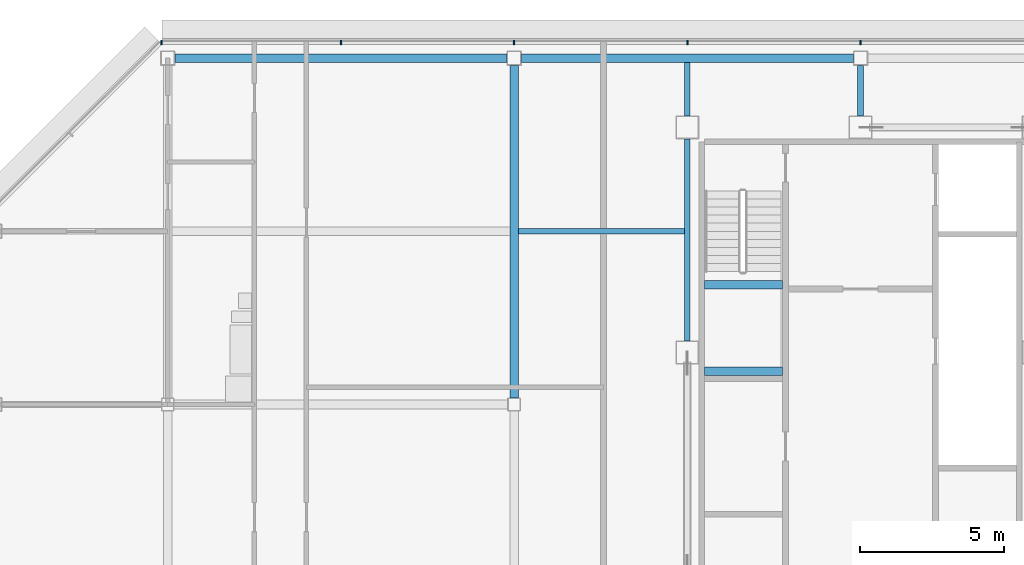
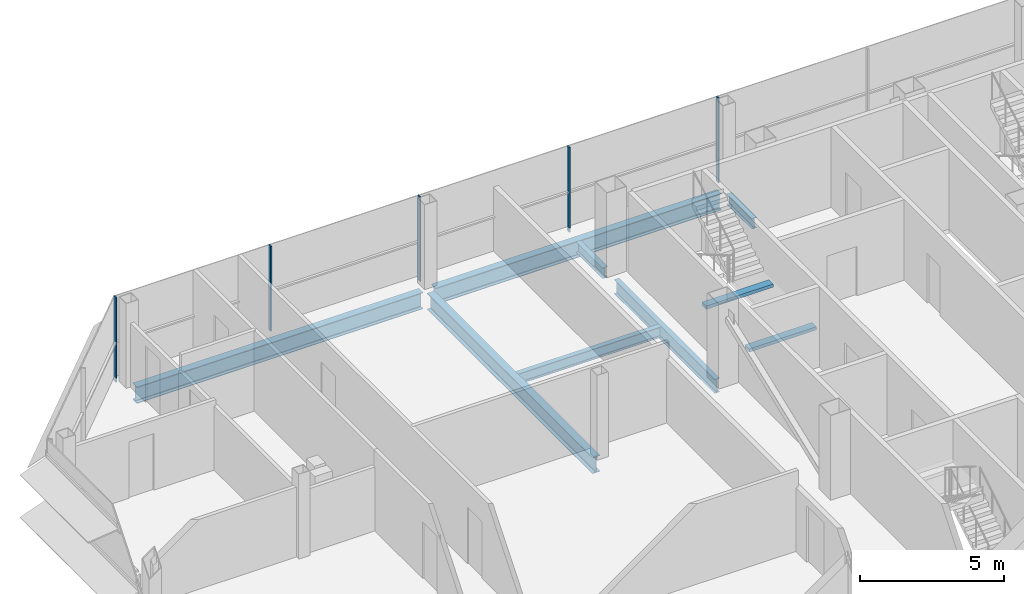
# One storey, part 14 of 28: 9 beams, 5 members, 1 element without a shape of its own.
"""IFC4 building model written with IfcOpenShell, lengths in metres."""

from ifc_helpers import new_model, si_unit, direction, frame, origin, origin_2d, place, context, subcontext, project, spatial, rectangle, i_section, extrude, material, material_profile, profile_set, type_object, element, aggregate, save


model = new_model("IFC4")

# Units and contexts
model_context = context("Model", 3, precision=1e-05, world=origin(), true_north=direction((0.0, 1.0)))
body_context = subcontext(model_context, "Body", "Model", "MODEL_VIEW")
ifc_project = project(units=[si_unit("LENGTHUNIT", "METRE"), si_unit("AREAUNIT", "SQUARE_METRE"), si_unit("VOLUMEUNIT", "CUBIC_METRE"), si_unit("PLANEANGLEUNIT", "RADIAN"), si_unit("MASSUNIT", "GRAM", prefix="KILO")], contexts=[model_context])

# Site, building, storey
site_placement = place(None, origin())
site = spatial("IfcSite", under=ifc_project, at=site_placement, CompositionType="ELEMENT")
building_placement = place(site_placement, origin())
building = spatial("IfcBuilding", under=site, at=building_placement, Name="Sorahane Residences", CompositionType="ELEMENT")
storey_placement = place(building_placement, frame((0.0, 0.0, 305.199951171875)))
storey = spatial("IfcBuildingStorey", under=building, at=storey_placement, Name="L72", CompositionType="ELEMENT", Elevation=305.199951171875)

# Curtain wall, members
ifc_material_1 = material(Name="Dark low-e glass and black anodised aluminium", Category="aluminium")
curtain_wall_type = type_object("IfcCurtainWallType", Name="Curtain wall CW-1 Typical unitised wall", PredefinedType="NOTDEFINED", material=ifc_material_1)
curtain_wall_placement = place(storey_placement, origin())
curtain_wall = element("IfcCurtainWall", 1, at=curtain_wall_placement, inside=storey, type_object=curtain_wall_type, Name="CW-1 curtain wall L72 N1", PredefinedType="NOTDEFINED")
ifc_material_2 = material(Name="Black anodised aluminium", Category="aluminium")
ifc_material_profile_1 = material_profile(ifc_material_2, rectangle(XDim=0.159912109375, YDim=0.050048828125, at=origin_2d()), Name="Curtain wall mullion CW-1 black anodised aluminium 50x160")
ifc_profile_set_1 = profile_set([ifc_material_profile_1], Name="Black anodised aluminium")
member_type = type_object("IfcMemberType", Name="Curtain wall mullion CW-1 black anodised aluminium 50x160", PredefinedType="MULLION", material=ifc_profile_set_1)
member_1_placement = place(storey_placement, frame((12.0, 48.5400390625, -0.179931640625), z_axis=(0.0, 0.0, 1.0), x_axis=(0.0, 1.0, 0.0)))
member_1 = element("IfcMember", 2, at=member_1_placement, type_object=member_type, Name="CW-1 mullion L72 N1.6", PredefinedType="MULLION", context=body_context, shape_type="SweptSolid", body=[
    extrude(rectangle(XDim=0.159912109375, YDim=0.050048828125, at=origin_2d()), origin(), (0.0, 0.0, 1.0), 3.60009765625),
])
member_2_placement = place(storey_placement, frame((6.0, 48.5400390625, -0.179931640625), z_axis=(0.0, 0.0, 1.0), x_axis=(0.0, 1.0, 0.0)))
member_2 = element("IfcMember", 3, at=member_2_placement, type_object=member_type, Name="CW-1 mullion L72 N1.7", PredefinedType="MULLION", context=body_context, shape_type="SweptSolid", body=[
    extrude(rectangle(XDim=0.159912109375, YDim=0.050048828125, at=origin_2d()), origin(), (0.0, 0.0, 1.0), 3.60009765625),
])
member_3_placement = place(storey_placement, frame((0.0, 48.5400390625, -0.179931640625), z_axis=(0.0, 0.0, 1.0), x_axis=(0.0, 1.0, 0.0)))
member_3 = element("IfcMember", 4, at=member_3_placement, type_object=member_type, Name="CW-1 mullion L72 N1.8", PredefinedType="MULLION", context=body_context, shape_type="SweptSolid", body=[
    extrude(rectangle(XDim=0.159912109375, YDim=0.050048828125, at=origin_2d()), origin(), (0.0, 0.0, 1.0), 3.60009765625),
])
member_4_placement = place(storey_placement, frame((-6.0, 48.5400390625, -0.179931640625), z_axis=(0.0, 0.0, 1.0), x_axis=(0.0, 1.0, 0.0)))
member_4 = element("IfcMember", 5, at=member_4_placement, type_object=member_type, Name="CW-1 mullion L72 N1.9", PredefinedType="MULLION", context=body_context, shape_type="SweptSolid", body=[
    extrude(rectangle(XDim=0.159912109375, YDim=0.050048828125, at=origin_2d()), origin(), (0.0, 0.0, 1.0), 3.60009765625),
])
member_5_placement = place(storey_placement, frame((-12.2236328125, 48.5400390625, -0.179931640625), z_axis=(0.0, 0.0, 1.0), x_axis=(0.0, 1.0, 0.0)))
member_5 = element("IfcMember", 6, at=member_5_placement, type_object=member_type, Name="CW-1 mullion L72 N1.10", PredefinedType="MULLION", context=body_context, shape_type="SweptSolid", body=[
    extrude(rectangle(XDim=0.159912109375, YDim=0.050048828125, at=origin_2d()), origin(), (0.0, 0.0, 1.0), 3.60009765625),
])
aggregate(curtain_wall, [member_1, member_2, member_3, member_4, member_5])

# Beams
ifc_material_3 = material(Name="Concrete C40", Category="concrete")
ifc_material_profile_2 = material_profile(ifc_material_3, rectangle(XDim=0.300048828125, YDim=0.139892578125, at=origin_2d()), Name="300x140")
ifc_profile_set_2 = profile_set([ifc_material_profile_2], Name="Concrete C40")
beam_type_1 = type_object("IfcBeamType", Name="RC landing beam 300 x 140 Concrete C40", PredefinedType="BEAM", material=ifc_profile_set_2)
for number, where, z_axis, x_axis, name in (
    (7, (6.60009765625, 37.14990234375, 1.530029296875), (1.0, 0.0, 0.0), (0.0, 1.0, 0.0), "Landing beam"),
    (8, (6.60009765625, 40.14990234375, 1.530029296875), (1.0, 0.0, 0.0), (0.0, 1.0, 0.0), "Landing beam"),
):
    element("IfcBeam", number, at=place(storey_placement, frame(where, z_axis=z_axis, x_axis=x_axis)), inside=storey, type_object=beam_type_1, Name=name, PredefinedType="BEAM", context=body_context, shape_type="SweptSolid", body=[
        extrude(rectangle(XDim=0.300048828125, YDim=0.139892578125, at=origin_2d()), origin(), (0.0, 0.0, 1.0), 2.699951171875),
    ])
ifc_material_4 = material(Name="Steel Q355B", Category="steel")
ifc_material_profile_3 = material_profile(ifc_material_4, i_section(OverallWidth=0.199951171875, OverallDepth=0.449951171875, WebThickness=0.009033203125, FlangeThickness=0.013916015625, FilletRadius=0.02001953125, at=origin_2d()), Name="HN 450x200x9x14")
ifc_profile_set_3 = profile_set([ifc_material_profile_3], Name="Steel Q355B")
beam_type_2 = type_object("IfcBeamType", Name="Steel floor beam HN 450x200x9x14 Q355B", PredefinedType="BEAM", material=ifc_profile_set_3)
beam_1_placement = place(storey_placement, frame((6.0, 46.0, -0.405029296875), z_axis=(0.0, 1.0, 0.0), x_axis=(-1.0, 0.0, 0.0)))
element("IfcBeam", 9, at=beam_1_placement, inside=storey, type_object=beam_type_2, Name="Beam L72 037", PredefinedType="BEAM", context=body_context, shape_type="SweptSolid", body=[
    extrude(i_section(OverallWidth=0.199951171875, OverallDepth=0.449951171875, WebThickness=0.009033203125, FlangeThickness=0.013916015625, FilletRadius=0.02001953125, at=origin_2d()), origin(), (0.0, 0.0, 1.0), 1.85009765625),
])
beam_2_placement = place(storey_placement, frame((12.0, 46.0, -0.405029296875), z_axis=(0.0, 1.0, 0.0), x_axis=(-1.0, 0.0, 0.0)))
element("IfcBeam", 10, at=beam_2_placement, inside=storey, type_object=beam_type_2, Name="Beam L72 039", PredefinedType="BEAM", context=body_context, shape_type="SweptSolid", body=[
    extrude(i_section(OverallWidth=0.199951171875, OverallDepth=0.449951171875, WebThickness=0.009033203125, FlangeThickness=0.013916015625, FilletRadius=0.02001953125, at=origin_2d()), origin(), (0.0, 0.0, 1.0), 1.75),
])
beam_3_placement = place(storey_placement, frame((0.14990234375, 42.0, -0.405029296875), z_axis=(1.0, 0.0, 0.0), x_axis=(0.0, 1.0, 0.0)))
element("IfcBeam", 11, at=beam_3_placement, inside=storey, type_object=beam_type_2, Name="Beam L72 089", PredefinedType="BEAM", context=body_context, shape_type="SweptSolid", body=[
    extrude(i_section(OverallWidth=0.199951171875, OverallDepth=0.449951171875, WebThickness=0.009033203125, FlangeThickness=0.013916015625, FilletRadius=0.02001953125, at=origin_2d()), origin(), (0.0, 0.0, 1.0), 5.75),
])
ifc_material_5 = material(Name="Steel Q355B", Category="steel")
ifc_material_profile_4 = material_profile(ifc_material_5, i_section(OverallWidth=0.199951171875, OverallDepth=0.60009765625, WebThickness=0.010986328125, FlangeThickness=0.01708984375, FilletRadius=0.02392578125, at=origin_2d()), Name="HN 600x200x11x17")
ifc_profile_set_4 = profile_set([ifc_material_profile_4], Name="Steel Q355B")
beam_type_3 = type_object("IfcBeamType", Name="Steel floor beam HN 600x200x11x17 Q355B", PredefinedType="BEAM", material=ifc_profile_set_4)
beam_4_placement = place(storey_placement, frame((6.0, 38.199951171875, -0.47998046875), z_axis=(0.0, 1.0, 0.0), x_axis=(-1.0, 0.0, 0.0)))
element("IfcBeam", 12, at=beam_4_placement, inside=storey, type_object=beam_type_3, Name="Beam L72 036", PredefinedType="BEAM", context=body_context, shape_type="SweptSolid", body=[
    extrude(i_section(OverallWidth=0.199951171875, OverallDepth=0.60009765625, WebThickness=0.010986328125, FlangeThickness=0.01708984375, FilletRadius=0.02392578125, at=origin_2d()), origin(), (0.0, 0.0, 1.0), 7.0),
])
ifc_material_6 = material(Name="Steel Q355B", Category="steel")
ifc_material_profile_5 = material_profile(ifc_material_6, i_section(OverallWidth=0.300048828125, OverallDepth=0.699951171875, WebThickness=0.012939453125, FlangeThickness=0.02392578125, FilletRadius=0.028076171875, at=origin_2d()), Name="HN 700x300x13x24")
ifc_profile_set_5 = profile_set([ifc_material_profile_5], Name="Steel Q355B")
beam_type_4 = type_object("IfcBeamType", Name="Steel floor beam HN 700x300x13x24 Q355B", PredefinedType="BEAM", material=ifc_profile_set_5)
for number, where, z_axis, x_axis, name in (
    (13, (-11.75, 48.0, -0.530029296875), (1.0, 0.0, 0.0), (0.0, 1.0, 0.0), "Beam L72 015"),
    (14, (0.25, 48.0, -0.530029296875), (1.0, 0.0, 0.0), (0.0, 1.0, 0.0), "Beam L72 016"),
):
    element("IfcBeam", number, at=place(storey_placement, frame(where, z_axis=z_axis, x_axis=x_axis)), inside=storey, type_object=beam_type_4, Name=name, PredefinedType="BEAM", context=body_context, shape_type="SweptSolid", body=[
        extrude(i_section(OverallWidth=0.300048828125, OverallDepth=0.699951171875, WebThickness=0.012939453125, FlangeThickness=0.02392578125, FilletRadius=0.028076171875, at=origin_2d()), origin(), (0.0, 0.0, 1.0), 11.5),
    ])
beam_5_placement = place(storey_placement, frame((0.0, 36.22509765625, -0.530029296875), z_axis=(0.0, 1.0, 0.0), x_axis=(-1.0, 0.0, 0.0)))
element("IfcBeam", 15, at=beam_5_placement, inside=storey, type_object=beam_type_4, Name="Beam L72 031", PredefinedType="BEAM", context=body_context, shape_type="SweptSolid", body=[
    extrude(i_section(OverallWidth=0.300048828125, OverallDepth=0.699951171875, WebThickness=0.012939453125, FlangeThickness=0.02392578125, FilletRadius=0.028076171875, at=origin_2d()), origin(), (0.0, 0.0, 1.0), 11.52490234375),
])

save(model, "model.ifc")
